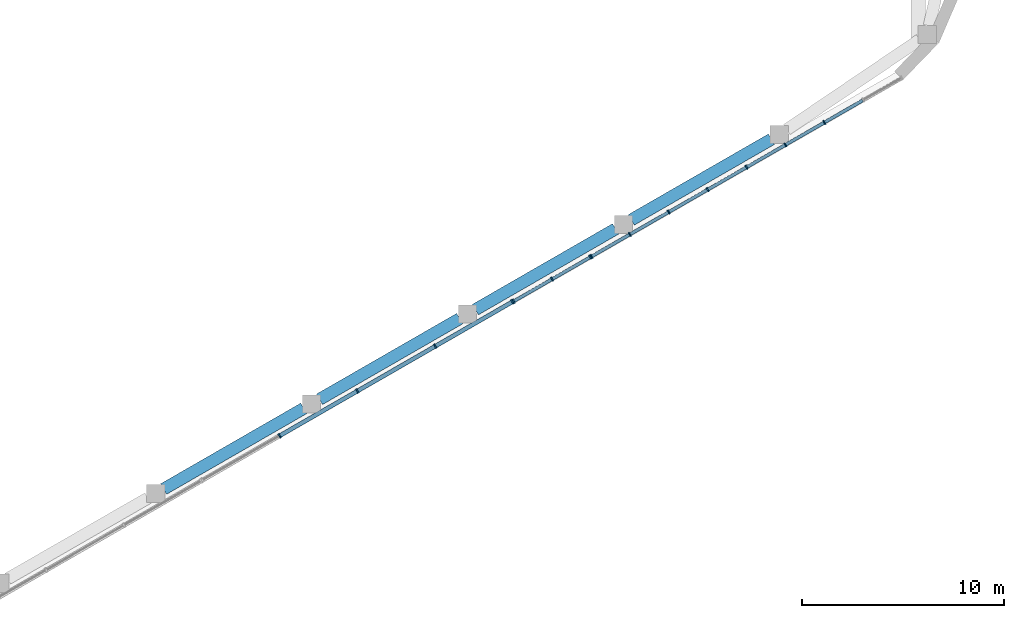
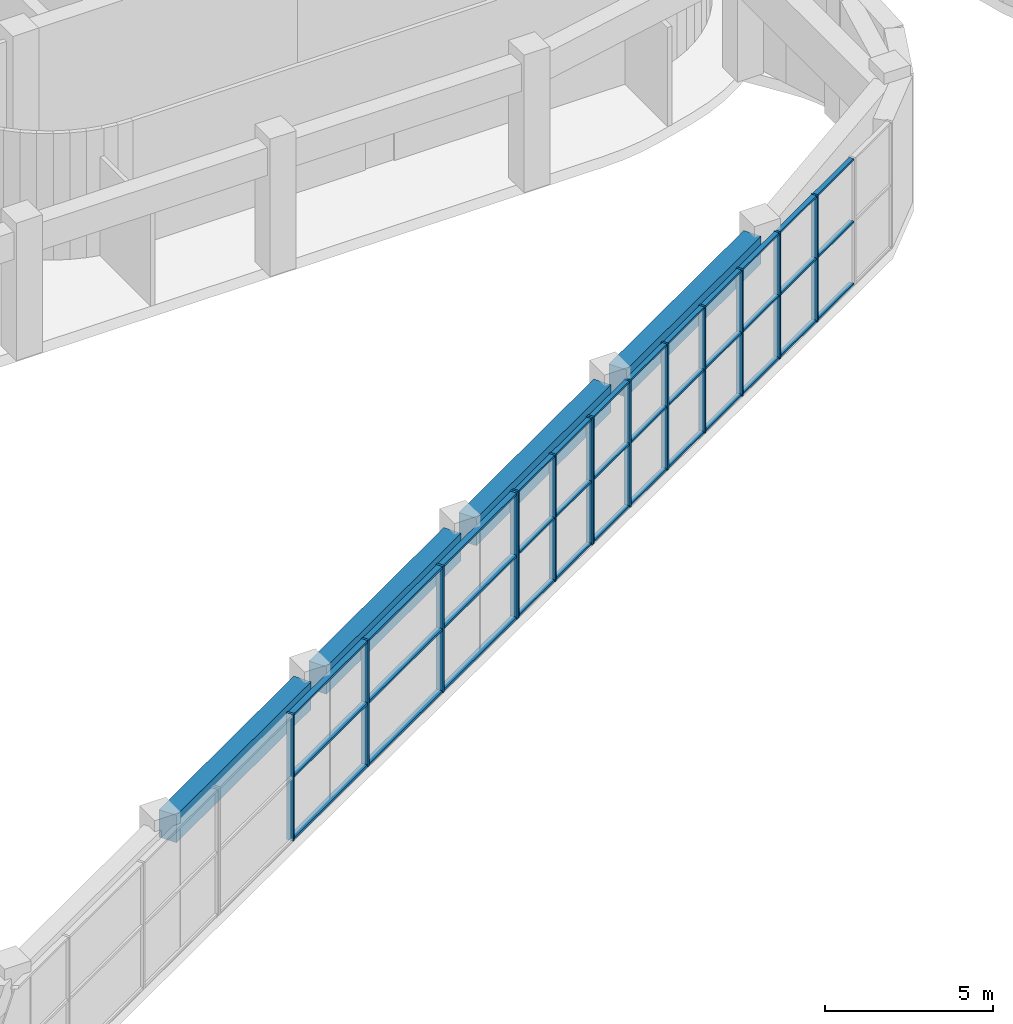
# One storey, part 4 of 25: 50 members, 4 beams, 3 elements without a shape of their own.
"""IFC4 building model written with IfcOpenShell, lengths in metres."""

from ifc_helpers import new_model, si_unit, direction, frame, origin, origin_2d, place, context, subcontext, project, spatial, rectangle, extrude, material, material_profile, profile_set, type_object, element, aggregate, save


model = new_model("IFC4")

# Units and contexts
model_context = context("Model", 3, precision=1e-05, world=origin(), true_north=direction((0.0, 1.0)))
body_context = subcontext(model_context, "Body", "Model", "MODEL_VIEW")
ifc_project = project(units=[si_unit("LENGTHUNIT", "METRE"), si_unit("AREAUNIT", "SQUARE_METRE"), si_unit("VOLUMEUNIT", "CUBIC_METRE"), si_unit("PLANEANGLEUNIT", "RADIAN"), si_unit("MASSUNIT", "GRAM", prefix="KILO")], contexts=[model_context])

# Site, building, storey
site_placement = place(None, origin())
site = spatial("IfcSite", under=ifc_project, at=site_placement, CompositionType="ELEMENT")
building_placement = place(site_placement, origin())
building = spatial("IfcBuilding", under=site, at=building_placement, Name="Skarvind Civic Tower", CompositionType="ELEMENT")
storey_placement = place(building_placement, frame((0.0, 0.0, 7.5)))
storey = spatial("IfcBuildingStorey", under=building, at=storey_placement, Name="L01", CompositionType="ELEMENT", Elevation=7.5)

# Curtain wall, members
ifc_material_1 = material(Name="Aluminium alloy 6063 and laminated glass", Category="aluminium")
curtain_wall_type_1 = type_object("IfcCurtainWallType", Name="CW1 PUBLIC HALL GLAZING", PredefinedType="NOTDEFINED", material=ifc_material_1)
curtain_wall_1_placement = place(storey_placement, origin())
curtain_wall_1 = element("IfcCurtainWall", 1, at=curtain_wall_1_placement, inside=storey, type_object=curtain_wall_type_1, Name="PUBLIC SERVICE HALL GLAZING", PredefinedType="NOTDEFINED")
ifc_material_2 = material(Name="Aluminium alloy 6063", Category="aluminium")
ifc_material_profile_1 = material_profile(ifc_material_2, rectangle(XDim=0.239990234375, YDim=0.080078125, at=origin_2d()), Name="AL 80x240")
ifc_profile_set_1 = profile_set([ifc_material_profile_1], Name="Aluminium alloy 6063")
member_type_1 = type_object("IfcMemberType", Name="CW1 MULLION 80x240", PredefinedType="MULLION", material=ifc_profile_set_1)
member_1_placement = place(storey_placement, frame((91.213623046875, 89.56640625, 0.0), z_axis=(0.0, 0.0, 1.0), x_axis=(0.498825416846, -0.866702488463, 0.0)))
member_1 = element("IfcMember", 2, at=member_1_placement, type_object=member_type_1, Name="CW1 mullion 1", PredefinedType="MULLION", context=body_context, shape_type="SweptSolid", body=[
    extrude(rectangle(XDim=0.239990234375, YDim=0.080078125, at=origin_2d()), origin(), (0.0, 0.0, 1.0), 4.60009765625),
])
member_2_placement = place(storey_placement, frame((87.392578125, 87.3671875, 0.0), z_axis=(0.0, 0.0, 1.0), x_axis=(0.498825416846, -0.866702488463, 0.0)))
member_2 = element("IfcMember", 3, at=member_2_placement, type_object=member_type_1, Name="CW1 mullion 2", PredefinedType="MULLION", context=body_context, shape_type="SweptSolid", body=[
    extrude(rectangle(XDim=0.239990234375, YDim=0.080078125, at=origin_2d()), origin(), (0.0, 0.0, 1.0), 4.60009765625),
])
member_3_placement = place(storey_placement, frame((83.537109375, 85.14794921875, 0.0), z_axis=(0.0, 0.0, 1.0), x_axis=(0.498825416846, -0.866702488463, 0.0)))
member_3 = element("IfcMember", 4, at=member_3_placement, type_object=member_type_1, Name="CW1 mullion 3", PredefinedType="MULLION", context=body_context, shape_type="SweptSolid", body=[
    extrude(rectangle(XDim=0.239990234375, YDim=0.080078125, at=origin_2d()), origin(), (0.0, 0.0, 1.0), 4.60009765625),
])
member_4_placement = place(storey_placement, frame((79.681396484375, 82.928955078125, 0.0), z_axis=(0.0, 0.0, 1.0), x_axis=(0.498825416846, -0.866702488463, 0.0)))
member_4 = element("IfcMember", 5, at=member_4_placement, type_object=member_type_1, Name="CW1 mullion 4", PredefinedType="MULLION", context=body_context, shape_type="SweptSolid", body=[
    extrude(rectangle(XDim=0.239990234375, YDim=0.080078125, at=origin_2d()), origin(), (0.0, 0.0, 1.0), 4.60009765625),
])
ifc_material_profile_2 = material_profile(ifc_material_2, rectangle(XDim=0.199951171875, YDim=0.080078125, at=origin_2d()), Name="AL 80x200")
ifc_profile_set_2 = profile_set([ifc_material_profile_2], Name="Aluminium alloy 6063")
member_type_2 = type_object("IfcMemberType", Name="CW1 TRANSOM 80x200", PredefinedType="USERDEFINED", material=ifc_profile_set_2)
member_5_placement = place(storey_placement, frame((91.178955078125, 89.54638671875, 0.0400390625), z_axis=(-0.866711867477, -0.498809120581, 0.0), x_axis=(0.498809120581, -0.866711867477, 0.0)))
member_5 = element("IfcMember", 6, at=member_5_placement, type_object=member_type_2, Name="CW1 transom 1.1", ObjectType="TRANSOM", PredefinedType="USERDEFINED", context=body_context, shape_type="SweptSolid", body=[
    extrude(rectangle(XDim=0.199951171875, YDim=0.080078125, at=origin_2d()), origin(), (0.0, 0.0, 1.0), 4.32861328125),
])
member_6_placement = place(storey_placement, frame((91.178955078125, 89.54638671875, 2.300048828125), z_axis=(-0.866711867477, -0.498809120581, 0.0), x_axis=(0.498809120581, -0.866711867477, 0.0)))
member_6 = element("IfcMember", 7, at=member_6_placement, type_object=member_type_2, Name="CW1 transom 1.2", ObjectType="TRANSOM", PredefinedType="USERDEFINED", context=body_context, shape_type="SweptSolid", body=[
    extrude(rectangle(XDim=0.199951171875, YDim=0.080078125, at=origin_2d()), origin(), (0.0, 0.0, 1.0), 4.32861328125),
])
member_7_placement = place(storey_placement, frame((91.178955078125, 89.54638671875, 4.56005859375), z_axis=(-0.866711867477, -0.498809120581, 0.0), x_axis=(0.498809120581, -0.866711867477, 0.0)))
member_7 = element("IfcMember", 8, at=member_7_placement, type_object=member_type_2, Name="CW1 transom 1.3", ObjectType="TRANSOM", PredefinedType="USERDEFINED", context=body_context, shape_type="SweptSolid", body=[
    extrude(rectangle(XDim=0.199951171875, YDim=0.080078125, at=origin_2d()), origin(), (0.0, 0.0, 1.0), 4.32861328125),
])
member_8_placement = place(storey_placement, frame((87.35791015625, 87.34716796875, 0.0400390625), z_axis=(-0.866691285652, -0.498844881076, 0.0), x_axis=(0.498844881076, -0.866691285652, 0.0)))
member_8 = element("IfcMember", 9, at=member_8_placement, type_object=member_type_2, Name="CW1 transom 2.1", ObjectType="TRANSOM", PredefinedType="USERDEFINED", context=body_context, shape_type="SweptSolid", body=[
    extrude(rectangle(XDim=0.199951171875, YDim=0.080078125, at=origin_2d()), origin(), (0.0, 0.0, 1.0), 4.368408203125),
])
member_9_placement = place(storey_placement, frame((87.35791015625, 87.34716796875, 2.300048828125), z_axis=(-0.866691285652, -0.498844881076, 0.0), x_axis=(0.498844881076, -0.866691285652, 0.0)))
member_9 = element("IfcMember", 10, at=member_9_placement, type_object=member_type_2, Name="CW1 transom 2.2", ObjectType="TRANSOM", PredefinedType="USERDEFINED", context=body_context, shape_type="SweptSolid", body=[
    extrude(rectangle(XDim=0.199951171875, YDim=0.080078125, at=origin_2d()), origin(), (0.0, 0.0, 1.0), 4.368408203125),
])
member_10_placement = place(storey_placement, frame((87.35791015625, 87.34716796875, 4.56005859375), z_axis=(-0.866691285652, -0.498844881076, 0.0), x_axis=(0.498844881076, -0.866691285652, 0.0)))
member_10 = element("IfcMember", 11, at=member_10_placement, type_object=member_type_2, Name="CW1 transom 2.3", ObjectType="TRANSOM", PredefinedType="USERDEFINED", context=body_context, shape_type="SweptSolid", body=[
    extrude(rectangle(XDim=0.199951171875, YDim=0.080078125, at=origin_2d()), origin(), (0.0, 0.0, 1.0), 4.368408203125),
])
member_11_placement = place(storey_placement, frame((83.50244140625, 85.128173828125, 0.0400390625), z_axis=(-0.86670519184, -0.498820719735, 0.0), x_axis=(0.498820719735, -0.86670519184, 0.0)))
member_11 = element("IfcMember", 12, at=member_11_placement, type_object=member_type_2, Name="CW1 transom 3.1", ObjectType="TRANSOM", PredefinedType="USERDEFINED", context=body_context, shape_type="SweptSolid", body=[
    extrude(rectangle(XDim=0.199951171875, YDim=0.080078125, at=origin_2d()), origin(), (0.0, 0.0, 1.0), 4.36865234375),
])
member_12_placement = place(storey_placement, frame((83.50244140625, 85.128173828125, 2.300048828125), z_axis=(-0.86670519184, -0.498820719735, 0.0), x_axis=(0.498820719735, -0.86670519184, 0.0)))
member_12 = element("IfcMember", 13, at=member_12_placement, type_object=member_type_2, Name="CW1 transom 3.2", ObjectType="TRANSOM", PredefinedType="USERDEFINED", context=body_context, shape_type="SweptSolid", body=[
    extrude(rectangle(XDim=0.199951171875, YDim=0.080078125, at=origin_2d()), origin(), (0.0, 0.0, 1.0), 4.36865234375),
])
member_13_placement = place(storey_placement, frame((83.50244140625, 85.128173828125, 4.56005859375), z_axis=(-0.86670519184, -0.498820719735, 0.0), x_axis=(0.498820719735, -0.86670519184, 0.0)))
member_13 = element("IfcMember", 14, at=member_13_placement, type_object=member_type_2, Name="CW1 transom 3.3", ObjectType="TRANSOM", PredefinedType="USERDEFINED", context=body_context, shape_type="SweptSolid", body=[
    extrude(rectangle(XDim=0.199951171875, YDim=0.080078125, at=origin_2d()), origin(), (0.0, 0.0, 1.0), 4.36865234375),
])
aggregate(curtain_wall_1, [member_1, member_2, member_3, member_4, member_5, member_6, member_7, member_8, member_9, member_10, member_11, member_12, member_13])

curtain_wall_type_2 = type_object("IfcCurtainWallType", Name="CW2 TOWER ENTRANCE LOBBY GLAZING", PredefinedType="NOTDEFINED", material=ifc_material_1)
curtain_wall_2_placement = place(storey_placement, origin())
curtain_wall_2 = element("IfcCurtainWall", 15, at=curtain_wall_2_placement, inside=storey, type_object=curtain_wall_type_2, Name="TOWER ENTRANCE LOBBY GLAZING", PredefinedType="NOTDEFINED")
ifc_material_profile_3 = material_profile(ifc_material_2, rectangle(XDim=0.219970703125, YDim=0.070068359375, at=origin_2d()), Name="AL 70x220")
ifc_profile_set_3 = profile_set([ifc_material_profile_3], Name="Aluminium alloy 6063")
member_type_3 = type_object("IfcMemberType", Name="CW2 MULLION 70x220", PredefinedType="MULLION", material=ifc_profile_set_3)
member_14_placement = place(storey_placement, frame((106.67626953125, 98.4541015625, 0.0), z_axis=(0.0, 0.0, 1.0), x_axis=(0.498825416846, -0.866702488463, 0.0)))
member_14 = element("IfcMember", 16, at=member_14_placement, type_object=member_type_3, Name="CW2 mullion 3", PredefinedType="MULLION", context=body_context, shape_type="SweptSolid", body=[
    extrude(rectangle(XDim=0.219970703125, YDim=0.070068359375, at=origin_2d()), origin(), (0.0, 0.0, 1.0), 4.60009765625),
])
member_15_placement = place(storey_placement, frame((104.748291015625, 97.3447265625, 0.0), z_axis=(0.0, 0.0, 1.0), x_axis=(0.498825416846, -0.866702488463, 0.0)))
member_15 = element("IfcMember", 17, at=member_15_placement, type_object=member_type_3, Name="CW2 mullion 4", PredefinedType="MULLION", context=body_context, shape_type="SweptSolid", body=[
    extrude(rectangle(XDim=0.219970703125, YDim=0.070068359375, at=origin_2d()), origin(), (0.0, 0.0, 1.0), 4.60009765625),
])
member_16_placement = place(storey_placement, frame((102.820556640625, 96.235107421875, 0.0), z_axis=(0.0, 0.0, 1.0), x_axis=(0.498825416846, -0.866702488463, 0.0)))
member_16 = element("IfcMember", 18, at=member_16_placement, type_object=member_type_3, Name="CW2 mullion 5", PredefinedType="MULLION", context=body_context, shape_type="SweptSolid", body=[
    extrude(rectangle(XDim=0.219970703125, YDim=0.070068359375, at=origin_2d()), origin(), (0.0, 0.0, 1.0), 4.60009765625),
])
member_17_placement = place(storey_placement, frame((100.892578125, 95.12548828125, 0.0), z_axis=(0.0, 0.0, 1.0), x_axis=(0.498825416846, -0.866702488463, 0.0)))
member_17 = element("IfcMember", 19, at=member_17_placement, type_object=member_type_3, Name="CW2 mullion 6", PredefinedType="MULLION", context=body_context, shape_type="SweptSolid", body=[
    extrude(rectangle(XDim=0.219970703125, YDim=0.070068359375, at=origin_2d()), origin(), (0.0, 0.0, 1.0), 4.60009765625),
])
member_18_placement = place(storey_placement, frame((98.96484375, 94.015869140625, 0.0), z_axis=(0.0, 0.0, 1.0), x_axis=(0.498825416846, -0.866702488463, 0.0)))
member_18 = element("IfcMember", 20, at=member_18_placement, type_object=member_type_3, Name="CW2 mullion 7", PredefinedType="MULLION", context=body_context, shape_type="SweptSolid", body=[
    extrude(rectangle(XDim=0.219970703125, YDim=0.070068359375, at=origin_2d()), origin(), (0.0, 0.0, 1.0), 4.60009765625),
])
member_19_placement = place(storey_placement, frame((97.036865234375, 92.90625, 0.0), z_axis=(0.0, 0.0, 1.0), x_axis=(0.498825416846, -0.866702488463, 0.0)))
member_19 = element("IfcMember", 21, at=member_19_placement, type_object=member_type_3, Name="CW2 mullion 8", PredefinedType="MULLION", context=body_context, shape_type="SweptSolid", body=[
    extrude(rectangle(XDim=0.219970703125, YDim=0.070068359375, at=origin_2d()), origin(), (0.0, 0.0, 1.0), 4.60009765625),
])
member_20_placement = place(storey_placement, frame((95.139404296875, 91.814208984375, 0.0), z_axis=(0.0, 0.0, 1.0), x_axis=(0.498825416846, -0.866702488463, 0.0)))
member_20 = element("IfcMember", 22, at=member_20_placement, type_object=member_type_3, Name="CW2 mullion 9", PredefinedType="MULLION", context=body_context, shape_type="SweptSolid", body=[
    extrude(rectangle(XDim=0.219970703125, YDim=0.070068359375, at=origin_2d()), origin(), (0.0, 0.0, 1.0), 4.60009765625),
])

curtain_wall_3_placement = place(storey_placement, origin())
curtain_wall_3 = element("IfcCurtainWall", 23, at=curtain_wall_3_placement, inside=storey, type_object=curtain_wall_type_2, Name="TOWER ENTRANCE LOBBY GLAZING", PredefinedType="NOTDEFINED")
member_21_placement = place(storey_placement, frame((95.078857421875, 91.779296875, 0.0), z_axis=(0.0, 0.0, 1.0), x_axis=(0.498838080597, -0.866695199794, 0.0)))
member_21 = element("IfcMember", 24, at=member_21_placement, type_object=member_type_3, Name="CW2 mullion 1", PredefinedType="MULLION", context=body_context, shape_type="SweptSolid", body=[
    extrude(rectangle(XDim=0.219970703125, YDim=0.070068359375, at=origin_2d()), origin(), (0.0, 0.0, 1.0), 4.60009765625),
])
member_22_placement = place(storey_placement, frame((93.18115234375, 90.687255859375, 0.0), z_axis=(0.0, 0.0, 1.0), x_axis=(0.498838080597, -0.866695199794, 0.0)))
member_22 = element("IfcMember", 25, at=member_22_placement, type_object=member_type_3, Name="CW2 mullion 2", PredefinedType="MULLION", context=body_context, shape_type="SweptSolid", body=[
    extrude(rectangle(XDim=0.219970703125, YDim=0.070068359375, at=origin_2d()), origin(), (0.0, 0.0, 1.0), 4.60009765625),
])
member_23_placement = place(storey_placement, frame((91.28369140625, 89.594970703125, 0.0), z_axis=(0.0, 0.0, 1.0), x_axis=(0.498838080597, -0.866695199794, 0.0)))
member_23 = element("IfcMember", 26, at=member_23_placement, type_object=member_type_3, Name="CW2 mullion 3", PredefinedType="MULLION", context=body_context, shape_type="SweptSolid", body=[
    extrude(rectangle(XDim=0.219970703125, YDim=0.070068359375, at=origin_2d()), origin(), (0.0, 0.0, 1.0), 4.60009765625),
])

# Member
ifc_material_profile_4 = material_profile(ifc_material_2, rectangle(XDim=0.159912109375, YDim=0.070068359375, at=origin_2d()), Name="AL 70x160")
ifc_profile_set_4 = profile_set([ifc_material_profile_4], Name="Aluminium alloy 6063")
member_type_4 = type_object("IfcMemberType", Name="CW2 TRANSOM 70x160", PredefinedType="USERDEFINED", material=ifc_profile_set_4)
member_24_placement = place(storey_placement, frame((108.57373046875, 99.54638671875, 0.034912109375), z_axis=(-0.866690754889, -0.498845803219, 0.0), x_axis=(0.498845803219, -0.866690754889, 0.0)))
member_24 = element("IfcMember", 27, at=member_24_placement, type_object=member_type_4, Name="CW2 transom 2.1", ObjectType="TRANSOM", PredefinedType="USERDEFINED", context=body_context, shape_type="SweptSolid", body=[
    extrude(rectangle(XDim=0.159912109375, YDim=0.070068359375, at=origin_2d()), origin(), (0.0, 0.0, 1.0), 2.154296875),
])

member_25_placement = place(storey_placement, frame((108.57373046875, 99.54638671875, 2.300048828125), z_axis=(-0.866690754889, -0.498845803219, 0.0), x_axis=(0.498845803219, -0.866690754889, 0.0)))
member_25 = element("IfcMember", 28, at=member_25_placement, type_object=member_type_4, Name="CW2 transom 2.2", ObjectType="TRANSOM", PredefinedType="USERDEFINED", context=body_context, shape_type="SweptSolid", body=[
    extrude(rectangle(XDim=0.159912109375, YDim=0.070068359375, at=origin_2d()), origin(), (0.0, 0.0, 1.0), 2.154296875),
])

member_26_placement = place(storey_placement, frame((108.57373046875, 99.54638671875, 4.56494140625), z_axis=(-0.866690754889, -0.498845803219, 0.0), x_axis=(0.498845803219, -0.866690754889, 0.0)))
member_26 = element("IfcMember", 29, at=member_26_placement, type_object=member_type_4, Name="CW2 transom 2.3", ObjectType="TRANSOM", PredefinedType="USERDEFINED", context=body_context, shape_type="SweptSolid", body=[
    extrude(rectangle(XDim=0.159912109375, YDim=0.070068359375, at=origin_2d()), origin(), (0.0, 0.0, 1.0), 2.154296875),
])

member_27_placement = place(storey_placement, frame((106.645751953125, 98.436767578125, 0.034912109375), z_axis=(-0.866690754889, -0.498845803219, 0.0), x_axis=(0.498845803219, -0.866690754889, 0.0)))
member_27 = element("IfcMember", 30, at=member_27_placement, type_object=member_type_4, Name="CW2 transom 3.1", ObjectType="TRANSOM", PredefinedType="USERDEFINED", context=body_context, shape_type="SweptSolid", body=[
    extrude(rectangle(XDim=0.159912109375, YDim=0.070068359375, at=origin_2d()), origin(), (0.0, 0.0, 1.0), 2.154296875),
])

member_28_placement = place(storey_placement, frame((106.645751953125, 98.436767578125, 2.300048828125), z_axis=(-0.866690754889, -0.498845803219, 0.0), x_axis=(0.498845803219, -0.866690754889, 0.0)))
member_28 = element("IfcMember", 31, at=member_28_placement, type_object=member_type_4, Name="CW2 transom 3.2", ObjectType="TRANSOM", PredefinedType="USERDEFINED", context=body_context, shape_type="SweptSolid", body=[
    extrude(rectangle(XDim=0.159912109375, YDim=0.070068359375, at=origin_2d()), origin(), (0.0, 0.0, 1.0), 2.154296875),
])

member_29_placement = place(storey_placement, frame((106.645751953125, 98.436767578125, 4.56494140625), z_axis=(-0.866690754889, -0.498845803219, 0.0), x_axis=(0.498845803219, -0.866690754889, 0.0)))
member_29 = element("IfcMember", 32, at=member_29_placement, type_object=member_type_4, Name="CW2 transom 3.3", ObjectType="TRANSOM", PredefinedType="USERDEFINED", context=body_context, shape_type="SweptSolid", body=[
    extrude(rectangle(XDim=0.159912109375, YDim=0.070068359375, at=origin_2d()), origin(), (0.0, 0.0, 1.0), 2.154296875),
])

member_30_placement = place(storey_placement, frame((104.718017578125, 97.3271484375, 0.034912109375), z_axis=(-0.866690754889, -0.498845803219, 0.0), x_axis=(0.498845803219, -0.866690754889, 0.0)))
member_30 = element("IfcMember", 33, at=member_30_placement, type_object=member_type_4, Name="CW2 transom 4.1", ObjectType="TRANSOM", PredefinedType="USERDEFINED", context=body_context, shape_type="SweptSolid", body=[
    extrude(rectangle(XDim=0.159912109375, YDim=0.070068359375, at=origin_2d()), origin(), (0.0, 0.0, 1.0), 2.154296875),
])

member_31_placement = place(storey_placement, frame((104.718017578125, 97.3271484375, 2.300048828125), z_axis=(-0.866690754889, -0.498845803219, 0.0), x_axis=(0.498845803219, -0.866690754889, 0.0)))
member_31 = element("IfcMember", 34, at=member_31_placement, type_object=member_type_4, Name="CW2 transom 4.2", ObjectType="TRANSOM", PredefinedType="USERDEFINED", context=body_context, shape_type="SweptSolid", body=[
    extrude(rectangle(XDim=0.159912109375, YDim=0.070068359375, at=origin_2d()), origin(), (0.0, 0.0, 1.0), 2.154296875),
])

member_32_placement = place(storey_placement, frame((104.718017578125, 97.3271484375, 4.56494140625), z_axis=(-0.866690754889, -0.498845803219, 0.0), x_axis=(0.498845803219, -0.866690754889, 0.0)))
member_32 = element("IfcMember", 35, at=member_32_placement, type_object=member_type_4, Name="CW2 transom 4.3", ObjectType="TRANSOM", PredefinedType="USERDEFINED", context=body_context, shape_type="SweptSolid", body=[
    extrude(rectangle(XDim=0.159912109375, YDim=0.070068359375, at=origin_2d()), origin(), (0.0, 0.0, 1.0), 2.154296875),
])

member_33_placement = place(storey_placement, frame((102.790283203125, 96.217529296875, 0.034912109375), z_axis=(-0.866739747915, -0.498760673454, 0.0), x_axis=(0.498760673454, -0.866739747915, 0.0)))
member_33 = element("IfcMember", 36, at=member_33_placement, type_object=member_type_4, Name="CW2 transom 5.1", ObjectType="TRANSOM", PredefinedType="USERDEFINED", context=body_context, shape_type="SweptSolid", body=[
    extrude(rectangle(XDim=0.159912109375, YDim=0.070068359375, at=origin_2d()), origin(), (0.0, 0.0, 1.0), 2.154296875),
])

member_34_placement = place(storey_placement, frame((102.790283203125, 96.217529296875, 2.300048828125), z_axis=(-0.866739747915, -0.498760673454, 0.0), x_axis=(0.498760673454, -0.866739747915, 0.0)))
member_34 = element("IfcMember", 37, at=member_34_placement, type_object=member_type_4, Name="CW2 transom 5.2", ObjectType="TRANSOM", PredefinedType="USERDEFINED", context=body_context, shape_type="SweptSolid", body=[
    extrude(rectangle(XDim=0.159912109375, YDim=0.070068359375, at=origin_2d()), origin(), (0.0, 0.0, 1.0), 2.154296875),
])

member_35_placement = place(storey_placement, frame((102.790283203125, 96.217529296875, 4.56494140625), z_axis=(-0.866739747915, -0.498760673454, 0.0), x_axis=(0.498760673454, -0.866739747915, 0.0)))
member_35 = element("IfcMember", 38, at=member_35_placement, type_object=member_type_4, Name="CW2 transom 5.3", ObjectType="TRANSOM", PredefinedType="USERDEFINED", context=body_context, shape_type="SweptSolid", body=[
    extrude(rectangle(XDim=0.159912109375, YDim=0.070068359375, at=origin_2d()), origin(), (0.0, 0.0, 1.0), 2.154296875),
])

member_36_placement = place(storey_placement, frame((100.8623046875, 95.10791015625, 0.034912109375), z_axis=(-0.866739747915, -0.498760673454, 0.0), x_axis=(0.498760673454, -0.866739747915, 0.0)))
member_36 = element("IfcMember", 39, at=member_36_placement, type_object=member_type_4, Name="CW2 transom 6.1", ObjectType="TRANSOM", PredefinedType="USERDEFINED", context=body_context, shape_type="SweptSolid", body=[
    extrude(rectangle(XDim=0.159912109375, YDim=0.070068359375, at=origin_2d()), origin(), (0.0, 0.0, 1.0), 2.154296875),
])

member_37_placement = place(storey_placement, frame((100.8623046875, 95.10791015625, 2.300048828125), z_axis=(-0.866739747915, -0.498760673454, 0.0), x_axis=(0.498760673454, -0.866739747915, 0.0)))
member_37 = element("IfcMember", 40, at=member_37_placement, type_object=member_type_4, Name="CW2 transom 6.2", ObjectType="TRANSOM", PredefinedType="USERDEFINED", context=body_context, shape_type="SweptSolid", body=[
    extrude(rectangle(XDim=0.159912109375, YDim=0.070068359375, at=origin_2d()), origin(), (0.0, 0.0, 1.0), 2.154296875),
])

member_38_placement = place(storey_placement, frame((100.8623046875, 95.10791015625, 4.56494140625), z_axis=(-0.866739747915, -0.498760673454, 0.0), x_axis=(0.498760673454, -0.866739747915, 0.0)))
member_38 = element("IfcMember", 41, at=member_38_placement, type_object=member_type_4, Name="CW2 transom 6.3", ObjectType="TRANSOM", PredefinedType="USERDEFINED", context=body_context, shape_type="SweptSolid", body=[
    extrude(rectangle(XDim=0.159912109375, YDim=0.070068359375, at=origin_2d()), origin(), (0.0, 0.0, 1.0), 2.154296875),
])

member_39_placement = place(storey_placement, frame((98.9345703125, 93.99853515625, 0.034912109375), z_axis=(-0.866690754889, -0.498845803219, 0.0), x_axis=(0.498845803219, -0.866690754889, 0.0)))
member_39 = element("IfcMember", 42, at=member_39_placement, type_object=member_type_4, Name="CW2 transom 7.1", ObjectType="TRANSOM", PredefinedType="USERDEFINED", context=body_context, shape_type="SweptSolid", body=[
    extrude(rectangle(XDim=0.159912109375, YDim=0.070068359375, at=origin_2d()), origin(), (0.0, 0.0, 1.0), 2.154296875),
])

member_40_placement = place(storey_placement, frame((98.9345703125, 93.99853515625, 2.300048828125), z_axis=(-0.866690754889, -0.498845803219, 0.0), x_axis=(0.498845803219, -0.866690754889, 0.0)))
member_40 = element("IfcMember", 43, at=member_40_placement, type_object=member_type_4, Name="CW2 transom 7.2", ObjectType="TRANSOM", PredefinedType="USERDEFINED", context=body_context, shape_type="SweptSolid", body=[
    extrude(rectangle(XDim=0.159912109375, YDim=0.070068359375, at=origin_2d()), origin(), (0.0, 0.0, 1.0), 2.154296875),
])

member_41_placement = place(storey_placement, frame((98.9345703125, 93.99853515625, 4.56494140625), z_axis=(-0.866690754889, -0.498845803219, 0.0), x_axis=(0.498845803219, -0.866690754889, 0.0)))
member_41 = element("IfcMember", 44, at=member_41_placement, type_object=member_type_4, Name="CW2 transom 7.3", ObjectType="TRANSOM", PredefinedType="USERDEFINED", context=body_context, shape_type="SweptSolid", body=[
    extrude(rectangle(XDim=0.159912109375, YDim=0.070068359375, at=origin_2d()), origin(), (0.0, 0.0, 1.0), 2.154296875),
])

member_42_placement = place(storey_placement, frame((97.006591796875, 92.888916015625, 0.034912109375), z_axis=(-0.866722062826, -0.498791405109, 0.0), x_axis=(0.498791405109, -0.866722062826, 0.0)))
member_42 = element("IfcMember", 45, at=member_42_placement, type_object=member_type_4, Name="CW2 transom 8.1", ObjectType="TRANSOM", PredefinedType="USERDEFINED", context=body_context, shape_type="SweptSolid", body=[
    extrude(rectangle(XDim=0.159912109375, YDim=0.070068359375, at=origin_2d()), origin(), (0.0, 0.0, 1.0), 2.119384765625),
])

member_43_placement = place(storey_placement, frame((97.006591796875, 92.888916015625, 2.300048828125), z_axis=(-0.866722062826, -0.498791405109, 0.0), x_axis=(0.498791405109, -0.866722062826, 0.0)))
member_43 = element("IfcMember", 46, at=member_43_placement, type_object=member_type_4, Name="CW2 transom 8.2", ObjectType="TRANSOM", PredefinedType="USERDEFINED", context=body_context, shape_type="SweptSolid", body=[
    extrude(rectangle(XDim=0.159912109375, YDim=0.070068359375, at=origin_2d()), origin(), (0.0, 0.0, 1.0), 2.119384765625),
])

member_44_placement = place(storey_placement, frame((97.006591796875, 92.888916015625, 4.56494140625), z_axis=(-0.866722062826, -0.498791405109, 0.0), x_axis=(0.498791405109, -0.866722062826, 0.0)))
member_44 = element("IfcMember", 47, at=member_44_placement, type_object=member_type_4, Name="CW2 transom 8.3", ObjectType="TRANSOM", PredefinedType="USERDEFINED", context=body_context, shape_type="SweptSolid", body=[
    extrude(rectangle(XDim=0.159912109375, YDim=0.070068359375, at=origin_2d()), origin(), (0.0, 0.0, 1.0), 2.119384765625),
])

aggregate(curtain_wall_2, [member_14, member_15, member_16, member_17, member_18, member_19, member_20, member_24, member_25, member_26, member_27, member_28, member_29, member_30, member_31, member_32, member_33, member_34, member_35, member_36, member_37, member_38, member_39, member_40, member_41, member_42, member_43, member_44])

member_45_placement = place(storey_placement, frame((95.04833984375, 91.761962890625, 0.034912109375), z_axis=(-0.866643589192, -0.498927739571, 0.0), x_axis=(0.498927739571, -0.866643589192, 0.0)))
member_45 = element("IfcMember", 48, at=member_45_placement, type_object=member_type_4, Name="CW2 transom 1.1", ObjectType="TRANSOM", PredefinedType="USERDEFINED", context=body_context, shape_type="SweptSolid", body=[
    extrude(rectangle(XDim=0.159912109375, YDim=0.070068359375, at=origin_2d()), origin(), (0.0, 0.0, 1.0), 2.119384765625),
])

member_46_placement = place(storey_placement, frame((95.04833984375, 91.761962890625, 2.300048828125), z_axis=(-0.866643589192, -0.498927739571, 0.0), x_axis=(0.498927739571, -0.866643589192, 0.0)))
member_46 = element("IfcMember", 49, at=member_46_placement, type_object=member_type_4, Name="CW2 transom 1.2", ObjectType="TRANSOM", PredefinedType="USERDEFINED", context=body_context, shape_type="SweptSolid", body=[
    extrude(rectangle(XDim=0.159912109375, YDim=0.070068359375, at=origin_2d()), origin(), (0.0, 0.0, 1.0), 2.119384765625),
])

member_47_placement = place(storey_placement, frame((95.04833984375, 91.761962890625, 4.56494140625), z_axis=(-0.866643589192, -0.498927739571, 0.0), x_axis=(0.498927739571, -0.866643589192, 0.0)))
member_47 = element("IfcMember", 50, at=member_47_placement, type_object=member_type_4, Name="CW2 transom 1.3", ObjectType="TRANSOM", PredefinedType="USERDEFINED", context=body_context, shape_type="SweptSolid", body=[
    extrude(rectangle(XDim=0.159912109375, YDim=0.070068359375, at=origin_2d()), origin(), (0.0, 0.0, 1.0), 2.119384765625),
])

member_48_placement = place(storey_placement, frame((93.15087890625, 90.669677734375, 0.034912109375), z_axis=(-0.866722062826, -0.498791405109, 0.0), x_axis=(0.498791405109, -0.866722062826, 0.0)))
member_48 = element("IfcMember", 51, at=member_48_placement, type_object=member_type_4, Name="CW2 transom 2.1", ObjectType="TRANSOM", PredefinedType="USERDEFINED", context=body_context, shape_type="SweptSolid", body=[
    extrude(rectangle(XDim=0.159912109375, YDim=0.070068359375, at=origin_2d()), origin(), (0.0, 0.0, 1.0), 2.119384765625),
])

member_49_placement = place(storey_placement, frame((93.15087890625, 90.669677734375, 2.300048828125), z_axis=(-0.866722062826, -0.498791405109, 0.0), x_axis=(0.498791405109, -0.866722062826, 0.0)))
member_49 = element("IfcMember", 52, at=member_49_placement, type_object=member_type_4, Name="CW2 transom 2.2", ObjectType="TRANSOM", PredefinedType="USERDEFINED", context=body_context, shape_type="SweptSolid", body=[
    extrude(rectangle(XDim=0.159912109375, YDim=0.070068359375, at=origin_2d()), origin(), (0.0, 0.0, 1.0), 2.119384765625),
])

member_50_placement = place(storey_placement, frame((93.15087890625, 90.669677734375, 4.56494140625), z_axis=(-0.866722062826, -0.498791405109, 0.0), x_axis=(0.498791405109, -0.866722062826, 0.0)))
member_50 = element("IfcMember", 53, at=member_50_placement, type_object=member_type_4, Name="CW2 transom 2.3", ObjectType="TRANSOM", PredefinedType="USERDEFINED", context=body_context, shape_type="SweptSolid", body=[
    extrude(rectangle(XDim=0.159912109375, YDim=0.070068359375, at=origin_2d()), origin(), (0.0, 0.0, 1.0), 2.119384765625),
])

aggregate(curtain_wall_3, [member_21, member_22, member_23, member_45, member_46, member_47, member_48, member_49, member_50])

# Beams
ifc_material_3 = material(Name="Concrete C60", Category="concrete")
ifc_material_profile_5 = material_profile(ifc_material_3, rectangle(XDim=0.60009765625, YDim=1.0, at=origin_2d()), Name="RC-600x1000")
ifc_profile_set_5 = profile_set([ifc_material_profile_5], Name="Concrete C60")
beam_type = type_object("IfcBeamType", Name="Hall ring beam RC-600x1000 C60", PredefinedType="BEAM", material=ifc_profile_set_5)
for number, where, z_axis, x_axis, name in (
    (54, (73.933837890625, 80.290283203125, 4.10009765625), (0.866703485632, 0.498823684275, 0.0), (-0.498823684275, 0.866703485632, 0.0), "Hall ring beam L02 7"),
    (55, (81.6591796875, 84.736572265625, 4.10009765625), (0.866703485632, 0.498823684275, 0.0), (-0.498823684275, 0.866703485632, 0.0), "Hall ring beam L02 8"),
    (56, (89.384521484375, 89.182861328125, 4.10009765625), (0.866703485632, 0.498823684275, 0.0), (-0.498823684275, 0.866703485632, 0.0), "Hall ring beam L02 9"),
    (57, (97.10986328125, 93.629150390625, 4.10009765625), (0.866703485632, 0.498823684275, 0.0), (-0.498823684275, 0.866703485632, 0.0), "Hall ring beam L02 10"),
):
    element("IfcBeam", number, at=place(storey_placement, frame(where, z_axis=z_axis, x_axis=x_axis)), inside=storey, type_object=beam_type, Name=name, PredefinedType="BEAM", context=body_context, shape_type="SweptSolid", body=[
        extrude(rectangle(XDim=0.60009765625, YDim=1.0, at=origin_2d()), origin(), (0.0, 0.0, 1.0), 8.013427734375),
    ])

save(model, "model.ifc")
